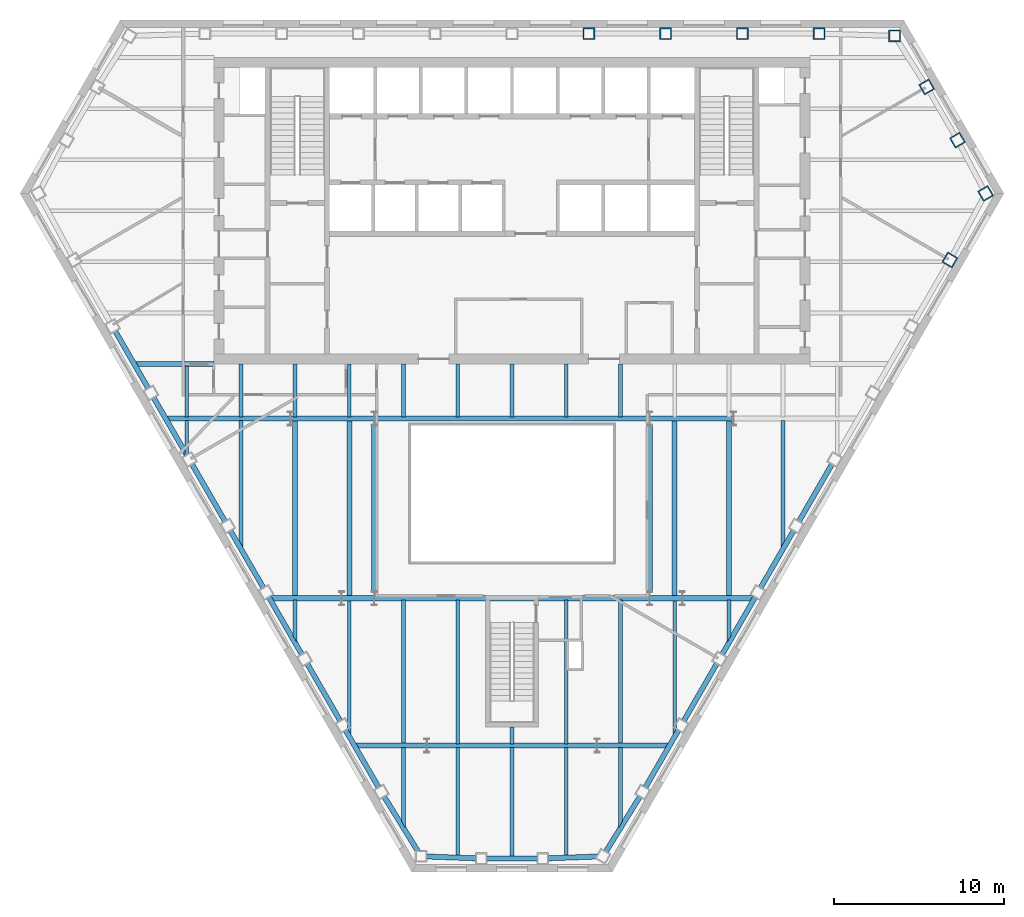
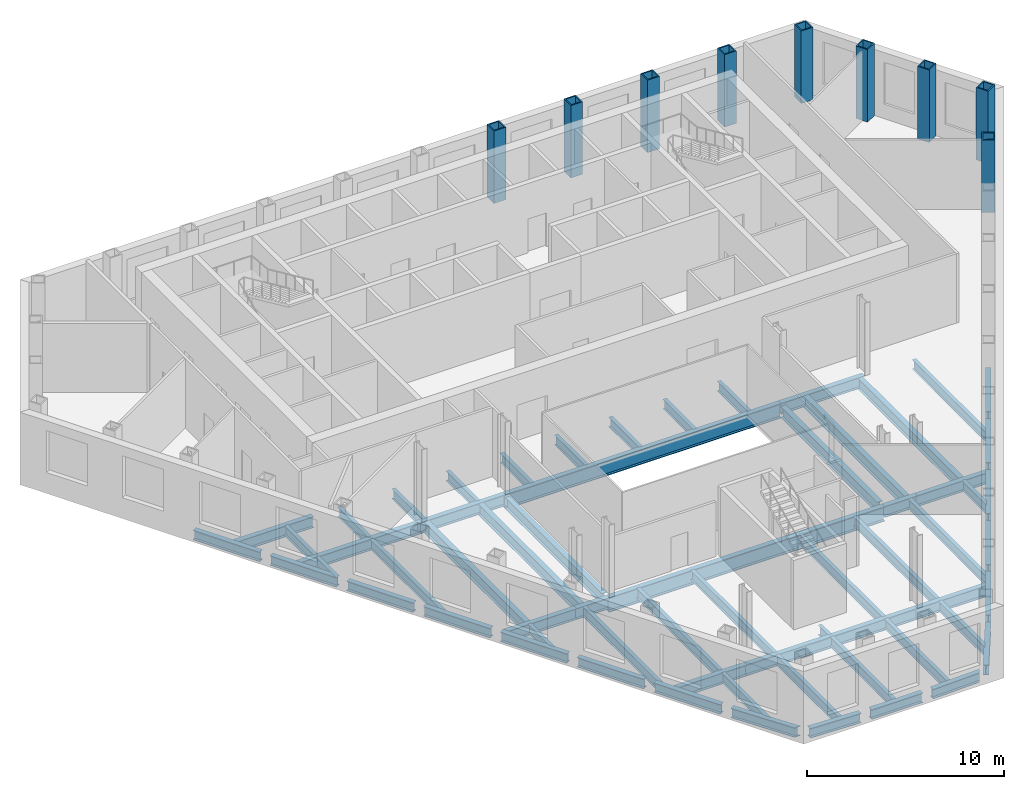
# One storey, part 2 of 11: 62 beams, 9 columns.
"""IFC4 building model written with IfcOpenShell, lengths in metres."""

import ifcopenshell
import ifcopenshell.guid

model = None  # the IFC model being written
_history = None  # IfcOwnerHistory: only IFC2X3 demands one
_inside = {}  # id of a spatial element -> (the spatial element, [elements in it])
_under = {}  # id of a project, library or spatial element -> (it, [spatial elements below it])
_declared = {}  # id of a project -> (the project, [libraries it declares])
_typed = {}  # id of a type object -> (the type object, [elements of that type])
_made_of = {}  # id of a material, layer set ... -> (it, [elements and type objects made of it])


def new_model(schema):
    """Start an empty IFC model of exactly this schema.

    Asked for "IFC4X3", IfcOpenShell would pick the latest addendum, in which some entities
    have other attributes; the version numbers below select the first issue.
    IFC2X3 requires an IfcOwnerHistory on every rooted entity: one is made here for all.
    """
    global model, _history
    if schema == "IFC4X3":
        model = ifcopenshell.file(schema_version=(4, 3, 0, 0))
    else:
        model = ifcopenshell.file(schema=schema)
    _inside.clear()
    _under.clear()
    _declared.clear()
    _typed.clear()
    _made_of.clear()
    _history = None
    if model.schema == "IFC2X3":
        org = make("IfcOrganization", Name="unknown")
        user = make(
            "IfcPersonAndOrganization",
            ThePerson=make("IfcPerson", FamilyName="unknown"),
            TheOrganization=org,
        )
        app = make(
            "IfcApplication",
            ApplicationDeveloper=org,
            Version="unknown",
            ApplicationFullName="unknown",
            ApplicationIdentifier="unknown",
        )
        _history = make(
            "IfcOwnerHistory",
            OwningUser=user,
            OwningApplication=app,
            ChangeAction="ADDED",
            CreationDate=0,
        )
    return model


def make(cls, **values):
    """One entity of the class cls with the attributes given. An attribute that is None is left unset."""
    return model.create_entity(
        cls, **{name: value for name, value in values.items() if value is not None}
    )


def rooted(cls, **values):
    """An entity with a GlobalId (a new one), such as an element, a storey or a relation."""
    return make(cls, GlobalId=ifcopenshell.guid.new(), OwnerHistory=_history, **values)


def si_unit(unit_type, name, prefix=None):
    """IfcSIUnit, for example si_unit("LENGTHUNIT", "METRE", prefix="MILLI")."""
    return make("IfcSIUnit", UnitType=unit_type, Prefix=prefix, Name=name)


def assignment(units):
    """IfcUnitAssignment: the units of a project."""
    return None if units is None else make("IfcUnitAssignment", Units=units)


def point(xyz):
    """IfcCartesianPoint."""
    return None if xyz is None else make("IfcCartesianPoint", Coordinates=xyz)


def direction(xyz):
    """IfcDirection."""
    return None if xyz is None else make("IfcDirection", DirectionRatios=xyz)


def frame(location, z_axis=None, x_axis=None):
    """IfcAxis2Placement3D, a coordinate frame: its origin and axes. An axis left out is left unset."""
    return make(
        "IfcAxis2Placement3D",
        Location=point(location),
        Axis=direction(z_axis),
        RefDirection=direction(x_axis),
    )


def frame_2d(location, x_axis=None):
    """IfcAxis2Placement2D, a coordinate frame in the plane: its origin and x axis."""
    return make(
        "IfcAxis2Placement2D", Location=point(location), RefDirection=direction(x_axis)
    )


def origin():
    """The frame at (0, 0, 0) with its axes left unset."""
    return frame((0.0, 0.0, 0.0))


def origin_2d():
    """The frame at (0, 0) in the plane with its x axis left unset."""
    return frame_2d((0.0, 0.0))


def place(relative_to, where):
    """IfcLocalPlacement: puts the frame where relative to a parent placement (None: the world)."""
    return make(
        "IfcLocalPlacement", PlacementRelTo=relative_to, RelativePlacement=where
    )


def context(
    kind, dimensions, precision=None, world=None, true_north=None, identifier=None
):
    """IfcGeometricRepresentationContext, for example the 3D "Model" context."""
    return make(
        "IfcGeometricRepresentationContext",
        ContextIdentifier=identifier,
        ContextType=kind,
        CoordinateSpaceDimension=dimensions,
        Precision=precision,
        WorldCoordinateSystem=world,
        TrueNorth=true_north,
    )


def subcontext(parent, identifier, kind, view, scale=None):
    """IfcGeometricRepresentationSubContext, for example "Body" below "Model"."""
    return make(
        "IfcGeometricRepresentationSubContext",
        ContextIdentifier=identifier,
        ContextType=kind,
        ParentContext=parent,
        TargetScale=scale,
        TargetView=view,
    )


def project(units=None, contexts=None):
    """IfcProject with its units and contexts."""
    return rooted(
        "IfcProject",
        Name="project",
        RepresentationContexts=contexts,
        UnitsInContext=assignment(units),
    )


def spatial(cls, under=None, at=None, **own):
    """A site, building, storey or space (cls), placed at a placement, below another one or the project."""
    s = rooted(cls, ObjectPlacement=at, **own)
    if under is not None:
        _under.setdefault(under.id(), (under, []))[1].append(s)
    return s


def profile(cls, at=None, kind="AREA", **sizes):
    """A parametric profile (cls). Its sizes go by their IFC names, for example OverallWidth=200.0."""
    return make(cls, ProfileType=kind, Position=at, **sizes)


def hollow_rectangle(**sizes):
    """IfcRectangleHollowProfileDef."""
    return profile("IfcRectangleHollowProfileDef", **sizes)


def i_section(**sizes):
    """IfcIShapeProfileDef."""
    return profile("IfcIShapeProfileDef", **sizes)


def extrude(swept, where, along, depth):
    """IfcExtrudedAreaSolid: the profile swept, set in the frame where, extruded along a direction by depth."""
    return make(
        "IfcExtrudedAreaSolid",
        SweptArea=swept,
        Position=where,
        ExtrudedDirection=direction(along),
        Depth=depth,
    )


def clip(a, b, op="DIFFERENCE"):
    """IfcBooleanClippingResult: the solid a cut by the half space b."""
    return make(
        "IfcBooleanClippingResult", Operator=op, FirstOperand=a, SecondOperand=b
    )


def halfspace(plane, agree):
    """IfcHalfSpaceSolid: all space on one side of the plane z = 0 of the frame plane."""
    return make(
        "IfcHalfSpaceSolid",
        BaseSurface=make("IfcPlane", Position=plane),
        AgreementFlag=agree,
    )


def shape(context_of_items, identifier, shape_type, items):
    """IfcShapeRepresentation: the items that make up one representation, for example the "Body"."""
    return make(
        "IfcShapeRepresentation",
        ContextOfItems=context_of_items,
        RepresentationIdentifier=identifier,
        RepresentationType=shape_type,
        Items=items,
    )


def material(Name=None, Category=None):
    """IfcMaterial."""
    return make("IfcMaterial", Name=Name, Category=Category)


def material_profile(
    of_material, cross_section, Name=None, Category=None, Priority=None
):
    """IfcMaterialProfile: a cross section and its material."""
    return make(
        "IfcMaterialProfile",
        Name=Name,
        Material=of_material,
        Profile=cross_section,
        Priority=Priority,
        Category=Category,
    )


def profile_set(profiles, Name=None, composite=None):
    """IfcMaterialProfileSet."""
    return make(
        "IfcMaterialProfileSet",
        Name=Name,
        MaterialProfiles=profiles,
        CompositeProfile=composite,
    )


def made_of(thing, what):
    """Note that an element or type object is made of a material, layer set ...; save() writes the relation."""
    if what is not None:
        _made_of.setdefault(what.id(), (what, []))[1].append(thing)
    return thing


def type_object(cls, material=None, **own):
    """A type object (cls), such as IfcWallType, which elements share."""
    return made_of(rooted(cls, **own), material)


def element(
    cls,
    number,
    at=None,
    inside=None,
    cuts=None,
    type_object=None,
    material=None,
    context=None,
    identifier="Body",
    shape_type=None,
    held_by="IfcProductDefinitionShape",
    body=None,
    shapes=None,
    **own,
):
    """One element of the class cls, such as IfcWall. Its Tag is "e" and its number.

    at: its placement. inside: the storey or other place that contains it. cuts: it is an
    opening in that element (IfcRelVoidsElement). A single representation is given by context,
    identifier, shape_type and body (its items); several are given by shapes. held_by: the class
    of the entity that holds the representations. save() writes the other relations.
    """
    e = rooted(cls, Tag="e%d" % number, ObjectPlacement=at, **own)
    if body is not None:
        shapes = [shape(context, identifier, shape_type, body)]
    if shapes is not None:
        e.Representation = make(held_by, Representations=shapes)
    if inside is not None:
        _inside.setdefault(inside.id(), (inside, []))[1].append(e)
    if cuts is not None:
        rooted(
            "IfcRelVoidsElement", RelatingBuildingElement=cuts, RelatedOpeningElement=e
        )
    if type_object is not None:
        _typed.setdefault(type_object.id(), (type_object, []))[1].append(e)
    return made_of(e, material)


def aggregate(whole, parts):
    """IfcRelAggregates: a whole, such as a stair, and the parts it consists of."""
    return rooted("IfcRelAggregates", RelatingObject=whole, RelatedObjects=parts)


def save(model, path):
    """Write the relations noted so far, then the file.

    IfcRelAggregates (storeys below a building ...), IfcRelContainedInSpatialStructure (elements
    in a storey), IfcRelDefinesByType, IfcRelAssociatesMaterial and IfcRelDeclares: one each for
    every whole, place, type object, material and project.
    """
    for whole, parts in _under.values():
        aggregate(whole, parts)
    for where, things in _inside.values():
        rooted(
            "IfcRelContainedInSpatialStructure",
            RelatedElements=things,
            RelatingStructure=where,
        )
    for kind, things in _typed.values():
        rooted("IfcRelDefinesByType", RelatedObjects=things, RelatingType=kind)
    for what, things in _made_of.values():
        rooted("IfcRelAssociatesMaterial", RelatedObjects=things, RelatingMaterial=what)
    for by, libraries in _declared.values():
        rooted("IfcRelDeclares", RelatingContext=by, RelatedDefinitions=libraries)
    model.write(path)


model = new_model("IFC4")

# Units and contexts
model_context = context("Model", 3, precision=1e-05, world=origin(), true_north=direction((0.0, 1.0)))
body_context = subcontext(model_context, "Body", "Model", "MODEL_VIEW")
ifc_project = project(units=[si_unit("LENGTHUNIT", "METRE"), si_unit("AREAUNIT", "SQUARE_METRE"), si_unit("VOLUMEUNIT", "CUBIC_METRE"), si_unit("PLANEANGLEUNIT", "RADIAN"), si_unit("MASSUNIT", "GRAM", prefix="KILO")], contexts=[model_context])

# Site, building, storey
site_placement = place(None, origin())
site = spatial("IfcSite", under=ifc_project, at=site_placement, CompositionType="ELEMENT")
building_placement = place(site_placement, origin())
building = spatial("IfcBuilding", under=site, at=building_placement, Name="Njiva Tower", CompositionType="ELEMENT")
storey_placement = place(building_placement, frame((0.0, 0.0, 37.8)))
storey = spatial("IfcBuildingStorey", under=building, at=storey_placement, Name="L07", CompositionType="ELEMENT", Elevation=37.8)

# Columns
ifc_material = material(Name="Steel S355 J2", Category="steel")
ifc_material_profile_1 = material_profile(ifc_material, hollow_rectangle(XDim=0.7, YDim=0.7, WallThickness=0.07, at=origin_2d()), Name="BOX 700x700x70")
ifc_profile_set_1 = profile_set([ifc_material_profile_1], Name="Steel S355 J2")
column_type = type_object("IfcColumnType", Name="C5 Perimeter tube column BOX 700x700x70", PredefinedType="COLUMN", material=ifc_profile_set_1)
for number, where, z_axis, x_axis, name in (
    (1, (22.466, 19.267, 0.0), (0.0, 0.0, 1.0), (-1.0, 0.0, 0.0), "Perimeter tube column S02-C01"),
    (2, (18.034, 19.4, 0.0), (0.0, 0.0, 1.0), (-1.0, 0.0, 0.0), "Perimeter tube column S02-C02"),
    (3, (13.526, 19.4, 0.0), (0.0, 0.0, 1.0), (-1.0, 0.0, 0.0), "Perimeter tube column S02-C03"),
    (4, (9.017, 19.4, 0.0), (0.0, 0.0, 1.0), (-1.0, 0.0, 0.0), "Perimeter tube column S02-C04"),
    (5, (4.509, 19.4, 0.0), (0.0, 0.0, 1.0), (-1.0, 0.0, 0.0), "Perimeter tube column S02-C05"),
    (6, (25.707, 6.111, 0.0), (0.0, 0.0, 1.0), (0.5, 0.866025403784, 0.0), "Perimeter tube column S02-C36"),
    (7, (27.808, 10.016, 0.0), (0.0, 0.0, 1.0), (-0.5, 0.866025403784, 0.0), "Perimeter tube column S02-C37"),
    (8, (26.155, 13.144, 0.0), (0.0, 0.0, 1.0), (-0.5, 0.866025403784, 0.0), "Perimeter tube column S02-C38"),
    (9, (24.349, 16.272, 0.0), (0.0, 0.0, 1.0), (-0.5, 0.866025403784, 0.0), "Perimeter tube column S02-C39"),
):
    element("IfcColumn", number, at=place(storey_placement, frame(where, z_axis=z_axis, x_axis=x_axis)), inside=storey, type_object=column_type, Name=name, PredefinedType="COLUMN", context=body_context, shape_type="SweptSolid", body=[
        extrude(hollow_rectangle(XDim=0.7, YDim=0.7, WallThickness=0.07, at=origin_2d()), origin(), (0.0, 0.0, 1.0), 4.5),
    ])

# Beams
ifc_material_profile_2 = material_profile(ifc_material, i_section(OverallWidth=0.3, OverallDepth=0.69, WebThickness=0.0145, FlangeThickness=0.027, at=origin_2d()), Name="HEA 700")
ifc_profile_set_2 = profile_set([ifc_material_profile_2], Name="Steel S355 J2")
beam_type_1 = type_object("IfcBeamType", Name="B12 Long-span floor joist HEA 700", PredefinedType="JOIST", material=ifc_profile_set_2)
for number, where, z_axis, x_axis, name in (
    (10, (-12.733, -3.3, -0.545), (0.0, -1.0, 0.0), (1.0, 0.0, 0.0), "Long-span floor joist S02-B068"),
    (11, (-9.55, -3.3, -0.545), (0.0, -1.0, 0.0), (1.0, 0.0, 0.0), "Long-span floor joist S02-B071"),
    (12, (9.55, -3.3, -0.545), (0.0, -1.0, 0.0), (1.0, 0.0, 0.0), "Long-span floor joist S02-B089"),
    (13, (12.733, -3.3, -0.545), (0.0, -1.0, 0.0), (1.0, 0.0, 0.0), "Long-span floor joist S02-B092"),
):
    element("IfcBeam", number, at=place(storey_placement, frame(where, z_axis=z_axis, x_axis=x_axis)), inside=storey, type_object=beam_type_1, Name=name, PredefinedType="JOIST", context=body_context, shape_type="SweptSolid", body=[
        extrude(i_section(OverallWidth=0.3, OverallDepth=0.69, WebThickness=0.0145, FlangeThickness=0.027, at=origin_2d()), origin(), (0.0, 0.0, 1.0), 10.35),
    ])
ifc_material_profile_3 = material_profile(ifc_material, i_section(OverallWidth=0.22, OverallDepth=0.6, WebThickness=0.012, FlangeThickness=0.019, at=origin_2d()), Name="IPE 600")
ifc_profile_set_3 = profile_set([ifc_material_profile_3], Name="Steel S355 J2")
beam_type_2 = type_object("IfcBeamType", Name="B13 Floor joist IPE 600", PredefinedType="JOIST", material=ifc_profile_set_3)
beam_1_placement = place(storey_placement, frame((-15.917, -3.3, -0.5), z_axis=(0.0, -1.0, 0.0), x_axis=(1.0, 0.0, 0.0)))
element("IfcBeam", 14, at=beam_1_placement, inside=storey, type_object=beam_type_2, Name="Floor joist S02-B065", PredefinedType="JOIST", context=body_context, shape_type="Clipping", body=[
    clip(extrude(i_section(OverallWidth=0.22, OverallDepth=0.6, WebThickness=0.012, FlangeThickness=0.019, at=origin_2d()), origin(), (0.0, 0.0, 1.0), 7.557), halfspace(frame((-0.043, 0.0, 7.2713), z_axis=(-0.866026552831, 0.0, 0.499998009787), x_axis=(0.0, 1.0, 0.0)), False)),
])
beam_2_placement = place(storey_placement, frame((-9.55, -13.85, -0.5), z_axis=(0.0, -1.0, 0.0), x_axis=(1.0, 0.0, 0.0)))
element("IfcBeam", 15, at=beam_2_placement, inside=storey, type_object=beam_type_2, Name="Floor joist S02-B070", PredefinedType="JOIST", context=body_context, shape_type="Clipping", body=[
    clip(extrude(i_section(OverallWidth=0.22, OverallDepth=0.6, WebThickness=0.012, FlangeThickness=0.019, at=origin_2d()), origin(), (0.0, 0.0, 1.0), 8.035), halfspace(frame((-0.0433, 0.0, 7.7487), z_axis=(-0.866026552831, 0.0, 0.499998009787), x_axis=(0.0, 1.0, 0.0)), False)),
])
beam_3_placement = place(storey_placement, frame((-6.367, -13.851, -0.5), z_axis=(0.0, -1.0, 0.0), x_axis=(1.0, 0.0, 0.0)))
element("IfcBeam", 16, at=beam_3_placement, inside=storey, type_object=beam_type_2, Name="Floor joist S02-B074", PredefinedType="JOIST", context=body_context, shape_type="SweptSolid", body=[
    extrude(i_section(OverallWidth=0.22, OverallDepth=0.6, WebThickness=0.012, FlangeThickness=0.019, at=origin_2d()), origin(), (0.0, 0.0, 1.0), 8.449),
])
beam_4_placement = place(storey_placement, frame((-6.367, -22.5, -0.5), z_axis=(0.0, -1.0, 0.0), x_axis=(1.0, 0.0, 0.0)))
element("IfcBeam", 17, at=beam_4_placement, inside=storey, type_object=beam_type_2, Name="Floor joist S02-B073", PredefinedType="JOIST", context=body_context, shape_type="Clipping", body=[
    clip(extrude(i_section(OverallWidth=0.22, OverallDepth=0.6, WebThickness=0.012, FlangeThickness=0.019, at=origin_2d()), origin(), (0.0, 0.0, 1.0), 4.746), halfspace(frame((-0.0422, 0.0, 4.4792), z_axis=(-0.850624900762, 0.0, 0.525773029171), x_axis=(0.0, 1.0, 0.0)), False)),
])
beam_5_placement = place(storey_placement, frame((-3.183, -13.851, -0.5), z_axis=(0.0, -1.0, 0.0), x_axis=(1.0, 0.0, 0.0)))
element("IfcBeam", 18, at=beam_5_placement, inside=storey, type_object=beam_type_2, Name="Floor joist S02-B077", PredefinedType="JOIST", context=body_context, shape_type="SweptSolid", body=[
    extrude(i_section(OverallWidth=0.22, OverallDepth=0.6, WebThickness=0.012, FlangeThickness=0.019, at=origin_2d()), origin(), (0.0, 0.0, 1.0), 8.449),
])
beam_6_placement = place(storey_placement, frame((-3.183, -22.5, -0.5), z_axis=(0.0, -1.0, 0.0), x_axis=(1.0, 0.0, 0.0)))
element("IfcBeam", 19, at=beam_6_placement, inside=storey, type_object=beam_type_2, Name="Floor joist S02-B076", PredefinedType="JOIST", context=body_context, shape_type="SweptSolid", body=[
    extrude(i_section(OverallWidth=0.22, OverallDepth=0.6, WebThickness=0.012, FlangeThickness=0.019, at=origin_2d()), origin(), (0.0, 0.0, 1.0), 6.375),
])
beam_7_placement = place(storey_placement, frame((0.0, -22.5, -0.5), z_axis=(0.0, -1.0, 0.0), x_axis=(1.0, 0.0, 0.0)))
element("IfcBeam", 20, at=beam_7_placement, inside=storey, type_object=beam_type_2, Name="Floor joist S02-B079", PredefinedType="JOIST", context=body_context, shape_type="SweptSolid", body=[
    extrude(i_section(OverallWidth=0.22, OverallDepth=0.6, WebThickness=0.012, FlangeThickness=0.019, at=origin_2d()), origin(), (0.0, 0.0, 1.0), 6.43),
])
beam_8_placement = place(storey_placement, frame((3.183, -13.851, -0.5), z_axis=(0.0, -1.0, 0.0), x_axis=(1.0, 0.0, 0.0)))
element("IfcBeam", 21, at=beam_8_placement, inside=storey, type_object=beam_type_2, Name="Floor joist S02-B083", PredefinedType="JOIST", context=body_context, shape_type="SweptSolid", body=[
    extrude(i_section(OverallWidth=0.22, OverallDepth=0.6, WebThickness=0.012, FlangeThickness=0.019, at=origin_2d()), origin(), (0.0, 0.0, 1.0), 8.449),
])
beam_9_placement = place(storey_placement, frame((3.183, -22.5, -0.5), z_axis=(0.0, -1.0, 0.0), x_axis=(1.0, 0.0, 0.0)))
element("IfcBeam", 22, at=beam_9_placement, inside=storey, type_object=beam_type_2, Name="Floor joist S02-B082", PredefinedType="JOIST", context=body_context, shape_type="SweptSolid", body=[
    extrude(i_section(OverallWidth=0.22, OverallDepth=0.6, WebThickness=0.012, FlangeThickness=0.019, at=origin_2d()), origin(), (0.0, 0.0, 1.0), 6.375),
])
beam_10_placement = place(storey_placement, frame((6.367, -13.851, -0.5), z_axis=(0.0, -1.0, 0.0), x_axis=(1.0, 0.0, 0.0)))
element("IfcBeam", 23, at=beam_10_placement, inside=storey, type_object=beam_type_2, Name="Floor joist S02-B086", PredefinedType="JOIST", context=body_context, shape_type="SweptSolid", body=[
    extrude(i_section(OverallWidth=0.22, OverallDepth=0.6, WebThickness=0.012, FlangeThickness=0.019, at=origin_2d()), origin(), (0.0, 0.0, 1.0), 8.449),
])
beam_11_placement = place(storey_placement, frame((6.367, -22.5, -0.5), z_axis=(0.0, -1.0, 0.0), x_axis=(1.0, 0.0, 0.0)))
element("IfcBeam", 24, at=beam_11_placement, inside=storey, type_object=beam_type_2, Name="Floor joist S02-B085", PredefinedType="JOIST", context=body_context, shape_type="Clipping", body=[
    clip(extrude(i_section(OverallWidth=0.22, OverallDepth=0.6, WebThickness=0.012, FlangeThickness=0.019, at=origin_2d()), origin(), (0.0, 0.0, 1.0), 4.746), halfspace(frame((0.0422, 0.0, 4.4792), z_axis=(0.850624900762, 0.0, 0.525773029171), x_axis=(0.0, 1.0, 0.0)), False)),
])
beam_12_placement = place(storey_placement, frame((9.55, -13.85, -0.5), z_axis=(0.0, -1.0, 0.0), x_axis=(1.0, 0.0, 0.0)))
element("IfcBeam", 25, at=beam_12_placement, inside=storey, type_object=beam_type_2, Name="Floor joist S02-B088", PredefinedType="JOIST", context=body_context, shape_type="Clipping", body=[
    clip(extrude(i_section(OverallWidth=0.22, OverallDepth=0.6, WebThickness=0.012, FlangeThickness=0.019, at=origin_2d()), origin(), (0.0, 0.0, 1.0), 8.035), halfspace(frame((0.0433, 0.0, 7.7487), z_axis=(0.866026552831, 0.0, 0.499998009787), x_axis=(0.0, 1.0, 0.0)), False)),
])
beam_13_placement = place(storey_placement, frame((15.917, -3.3, -0.5), z_axis=(0.0, -1.0, 0.0), x_axis=(1.0, 0.0, 0.0)))
element("IfcBeam", 26, at=beam_13_placement, inside=storey, type_object=beam_type_2, Name="Floor joist S02-B094", PredefinedType="JOIST", context=body_context, shape_type="Clipping", body=[
    clip(extrude(i_section(OverallWidth=0.22, OverallDepth=0.6, WebThickness=0.012, FlangeThickness=0.019, at=origin_2d()), origin(), (0.0, 0.0, 1.0), 7.557), halfspace(frame((0.043, 0.0, 7.2713), z_axis=(0.866026552831, 0.0, 0.499998009787), x_axis=(0.0, 1.0, 0.0)), False)),
])
ifc_material_profile_4 = material_profile(ifc_material, i_section(OverallWidth=0.22, OverallDepth=0.6, WebThickness=0.012, FlangeThickness=0.019, at=origin_2d()), Name="IPE 600")
ifc_profile_set_4 = profile_set([ifc_material_profile_4], Name="Steel S355 J2")
beam_type_3 = type_object("IfcBeamType", Name="B14 Short-span floor joist IPE 600", PredefinedType="JOIST", material=ifc_profile_set_4)
beam_14_placement = place(storey_placement, frame((-19.1, -0.1, -0.5), z_axis=(0.0, -1.0, 0.0), x_axis=(1.0, 0.0, 0.0)))
element("IfcBeam", 27, at=beam_14_placement, inside=storey, type_object=beam_type_3, Name="Short-span floor joist S02-B064", PredefinedType="JOIST", context=body_context, shape_type="SweptSolid", body=[
    extrude(i_section(OverallWidth=0.22, OverallDepth=0.6, WebThickness=0.012, FlangeThickness=0.019, at=origin_2d()), origin(), (0.0, 0.0, 1.0), 3.0),
])
beam_15_placement = place(storey_placement, frame((-19.1, -3.3, -0.5), z_axis=(0.0, -1.0, 0.0), x_axis=(1.0, 0.0, 0.0)))
element("IfcBeam", 28, at=beam_15_placement, inside=storey, type_object=beam_type_3, Name="Short-span floor joist S02-B062", PredefinedType="JOIST", context=body_context, shape_type="Clipping", body=[
    clip(extrude(i_section(OverallWidth=0.22, OverallDepth=0.6, WebThickness=0.012, FlangeThickness=0.019, at=origin_2d()), origin(), (0.0, 0.0, 1.0), 2.131), halfspace(frame((0.025, 0.0, 2.0322), z_axis=(0.499998009787, 0.0, 0.866026552831), x_axis=(0.0, 1.0, 0.0)), False)),
])
for number, where, z_axis, x_axis, name in (
    (29, (-15.917, -0.005, -0.5), (0.0, -1.0, 0.0), (1.0, 0.0, 0.0), "Short-span floor joist S02-B066"),
    (30, (-12.733, -0.005, -0.5), (0.0, -1.0, 0.0), (1.0, 0.0, 0.0), "Short-span floor joist S02-B069"),
):
    element("IfcBeam", number, at=place(storey_placement, frame(where, z_axis=z_axis, x_axis=x_axis)), inside=storey, type_object=beam_type_3, Name=name, PredefinedType="JOIST", context=body_context, shape_type="SweptSolid", body=[
        extrude(i_section(OverallWidth=0.22, OverallDepth=0.6, WebThickness=0.012, FlangeThickness=0.019, at=origin_2d()), origin(), (0.0, 0.0, 1.0), 3.095),
    ])
beam_16_placement = place(storey_placement, frame((-12.733, -13.85, -0.5), z_axis=(0.0, -1.0, 0.0), x_axis=(1.0, 0.0, 0.0)))
element("IfcBeam", 31, at=beam_16_placement, inside=storey, type_object=beam_type_3, Name="Short-span floor joist S02-B067", PredefinedType="JOIST", context=body_context, shape_type="Clipping", body=[
    clip(extrude(i_section(OverallWidth=0.22, OverallDepth=0.6, WebThickness=0.012, FlangeThickness=0.019, at=origin_2d()), origin(), (0.0, 0.0, 1.0), 2.521), halfspace(frame((-0.0436, 0.0, 2.235), z_axis=(-0.866026552831, 0.0, 0.499998009787), x_axis=(0.0, 1.0, 0.0)), False)),
])
beam_17_placement = place(storey_placement, frame((-9.55, -0.005, -0.5), z_axis=(0.0, -1.0, 0.0), x_axis=(1.0, 0.0, 0.0)))
element("IfcBeam", 32, at=beam_17_placement, inside=storey, type_object=beam_type_3, Name="Short-span floor joist S02-B072", PredefinedType="JOIST", context=body_context, shape_type="SweptSolid", body=[
    extrude(i_section(OverallWidth=0.22, OverallDepth=0.6, WebThickness=0.012, FlangeThickness=0.019, at=origin_2d()), origin(), (0.0, 0.0, 1.0), 3.095),
])
for number, where, z_axis, x_axis, name in (
    (33, (-6.367, -0.005, -0.5), (0.0, -1.0, 0.0), (1.0, 0.0, 0.0), "Short-span floor joist S02-B075"),
    (34, (-3.183, -0.005, -0.5), (0.0, -1.0, 0.0), (1.0, 0.0, 0.0), "Short-span floor joist S02-B078"),
    (35, (0.0, -0.005, -0.5), (0.0, -1.0, 0.0), (1.0, 0.0, 0.0), "Short-span floor joist S02-B081"),
):
    element("IfcBeam", number, at=place(storey_placement, frame(where, z_axis=z_axis, x_axis=x_axis)), inside=storey, type_object=beam_type_3, Name=name, PredefinedType="JOIST", context=body_context, shape_type="SweptSolid", body=[
        extrude(i_section(OverallWidth=0.22, OverallDepth=0.6, WebThickness=0.012, FlangeThickness=0.019, at=origin_2d()), origin(), (0.0, 0.0, 1.0), 3.094),
    ])
beam_18_placement = place(storey_placement, frame((0.0, -21.3, -0.5), z_axis=(0.0, -1.0, 0.0), x_axis=(1.0, 0.0, 0.0)))
element("IfcBeam", 36, at=beam_18_placement, inside=storey, type_object=beam_type_3, Name="Short-span floor joist S02-B080", PredefinedType="JOIST", context=body_context, shape_type="SweptSolid", body=[
    extrude(i_section(OverallWidth=0.22, OverallDepth=0.6, WebThickness=0.012, FlangeThickness=0.019, at=origin_2d()), origin(), (0.0, 0.0, 1.0), 1.0),
])
for number, where, z_axis, x_axis, name in (
    (37, (3.183, -0.005, -0.5), (0.0, -1.0, 0.0), (1.0, 0.0, 0.0), "Short-span floor joist S02-B084"),
    (38, (6.367, -0.005, -0.5), (0.0, -1.0, 0.0), (1.0, 0.0, 0.0), "Short-span floor joist S02-B087"),
):
    element("IfcBeam", number, at=place(storey_placement, frame(where, z_axis=z_axis, x_axis=x_axis)), inside=storey, type_object=beam_type_3, Name=name, PredefinedType="JOIST", context=body_context, shape_type="SweptSolid", body=[
        extrude(i_section(OverallWidth=0.22, OverallDepth=0.6, WebThickness=0.012, FlangeThickness=0.019, at=origin_2d()), origin(), (0.0, 0.0, 1.0), 3.094),
    ])
beam_19_placement = place(storey_placement, frame((12.733, -13.85, -0.5), z_axis=(0.0, -1.0, 0.0), x_axis=(1.0, 0.0, 0.0)))
element("IfcBeam", 39, at=beam_19_placement, inside=storey, type_object=beam_type_3, Name="Short-span floor joist S02-B091", PredefinedType="JOIST", context=body_context, shape_type="Clipping", body=[
    clip(extrude(i_section(OverallWidth=0.22, OverallDepth=0.6, WebThickness=0.012, FlangeThickness=0.019, at=origin_2d()), origin(), (0.0, 0.0, 1.0), 2.521), halfspace(frame((0.0436, 0.0, 2.235), z_axis=(0.866026552831, 0.0, 0.499998009787), x_axis=(0.0, 1.0, 0.0)), False)),
])
ifc_material_profile_5 = material_profile(ifc_material, i_section(OverallWidth=0.3, OverallDepth=0.69, WebThickness=0.0145, FlangeThickness=0.027, at=origin_2d()), Name="HEA 700")
ifc_profile_set_5 = profile_set([ifc_material_profile_5], Name="Steel S355 J2")
beam_type_4 = type_object("IfcBeamType", Name="B15 Floor girder HEA 700", PredefinedType="BEAM", material=ifc_profile_set_5)
beam_20_placement = place(storey_placement, frame((-20.323, -3.2, -0.545), z_axis=(1.0, 0.0, 0.0), x_axis=(0.0, 1.0, 0.0)))
element("IfcBeam", 40, at=beam_20_placement, inside=storey, type_object=beam_type_4, Name="Floor girder S02-B016", PredefinedType="BEAM", context=body_context, shape_type="Clipping", body=[
    clip(extrude(i_section(OverallWidth=0.3, OverallDepth=0.69, WebThickness=0.0145, FlangeThickness=0.027, at=origin_2d()), origin(), (0.0, 0.0, 1.0), 7.323), halfspace(frame((-0.025, 0.0, 0.1217), z_axis=(-0.499998009787, 0.0, -0.866026552831), x_axis=(0.0, -1.0, 0.0)), False)),
])
for number, where, z_axis, x_axis, name in (
    (41, (-13.0, -3.2, -0.545), (1.0, 0.0, 0.0), (0.0, 1.0, 0.0), "Floor girder S02-B019"),
    (42, (8.09, -3.2, -0.545), (1.0, 0.0, 0.0), (0.0, 1.0, 0.0), "Floor girder S02-B025"),
):
    element("IfcBeam", number, at=place(storey_placement, frame(where, z_axis=z_axis, x_axis=x_axis)), inside=storey, type_object=beam_type_4, Name=name, PredefinedType="BEAM", context=body_context, shape_type="SweptSolid", body=[
        extrude(i_section(OverallWidth=0.3, OverallDepth=0.69, WebThickness=0.0145, FlangeThickness=0.027, at=origin_2d()), origin(), (0.0, 0.0, 1.0), 4.91),
    ])
beam_21_placement = place(storey_placement, frame((-22.17, 0.0, -0.545), z_axis=(1.0, 0.0, 0.0), x_axis=(0.0, 1.0, 0.0)))
element("IfcBeam", 43, at=beam_21_placement, inside=storey, type_object=beam_type_4, Name="Floor girder S02-B015", PredefinedType="BEAM", context=body_context, shape_type="Clipping", body=[
    clip(extrude(i_section(OverallWidth=0.3, OverallDepth=0.69, WebThickness=0.0145, FlangeThickness=0.027, at=origin_2d()), origin(), (0.0, 0.0, 1.0), 4.67), halfspace(frame((-0.025, 0.0, 0.1211), z_axis=(-0.499998009787, 0.0, -0.866026552831), x_axis=(0.0, -1.0, 0.0)), False)),
])
ifc_material_profile_6 = material_profile(ifc_material, i_section(OverallWidth=0.3, OverallDepth=0.69, WebThickness=0.0145, FlangeThickness=0.027, at=origin_2d()), Name="HEA 700")
ifc_profile_set_6 = profile_set([ifc_material_profile_6], Name="Steel S355 J2")
beam_type_5 = type_object("IfcBeamType", Name="B16 Short-span floor girder HEA 700", PredefinedType="BEAM", material=ifc_profile_set_6)
beam_22_placement = place(storey_placement, frame((-14.232, -13.75, -0.545), z_axis=(1.0, 0.0, 0.0), x_axis=(0.0, 1.0, 0.0)))
element("IfcBeam", 44, at=beam_22_placement, inside=storey, type_object=beam_type_5, Name="Short-span floor girder S02-B018", PredefinedType="BEAM", context=body_context, shape_type="Clipping", body=[
    clip(extrude(i_section(OverallWidth=0.3, OverallDepth=0.69, WebThickness=0.0145, FlangeThickness=0.027, at=origin_2d()), origin(), (0.0, 0.0, 1.0), 4.232), halfspace(frame((-0.025, 0.0, 0.1217), z_axis=(-0.499998009787, 0.0, -0.866026552831), x_axis=(0.0, -1.0, 0.0)), False)),
])
for number, where, z_axis, x_axis, name in (
    (45, (-10.0, -13.75, -0.545), (1.0, 0.0, 0.0), (0.0, 1.0, 0.0), "Short-span floor girder S02-B020"),
    (46, (8.09, -13.75, -0.545), (1.0, 0.0, 0.0), (0.0, 1.0, 0.0), "Short-span floor girder S02-B024"),
):
    element("IfcBeam", number, at=place(storey_placement, frame(where, z_axis=z_axis, x_axis=x_axis)), inside=storey, type_object=beam_type_5, Name=name, PredefinedType="BEAM", context=body_context, shape_type="SweptSolid", body=[
        extrude(i_section(OverallWidth=0.3, OverallDepth=0.69, WebThickness=0.0145, FlangeThickness=0.027, at=origin_2d()), origin(), (0.0, 0.0, 1.0), 1.91),
    ])
beam_23_placement = place(storey_placement, frame((10.0, -13.75, -0.545), z_axis=(1.0, 0.0, 0.0), x_axis=(0.0, 1.0, 0.0)))
element("IfcBeam", 47, at=beam_23_placement, inside=storey, type_object=beam_type_5, Name="Short-span floor girder S02-B026", PredefinedType="BEAM", context=body_context, shape_type="Clipping", body=[
    clip(extrude(i_section(OverallWidth=0.3, OverallDepth=0.69, WebThickness=0.0145, FlangeThickness=0.027, at=origin_2d()), origin(), (0.0, 0.0, 1.0), 4.232), halfspace(frame((-0.025, 0.0, 4.1103), z_axis=(-0.499998009787, 0.0, 0.866026552831), x_axis=(0.0, 1.0, 0.0)), False)),
])
beam_24_placement = place(storey_placement, frame((-9.238, -22.4, -0.545), z_axis=(1.0, 0.0, 0.0), x_axis=(0.0, 1.0, 0.0)))
element("IfcBeam", 48, at=beam_24_placement, inside=storey, type_object=beam_type_5, Name="Short-span floor girder S02-B021", PredefinedType="BEAM", context=body_context, shape_type="Clipping", body=[
    clip(extrude(i_section(OverallWidth=0.3, OverallDepth=0.69, WebThickness=0.0145, FlangeThickness=0.027, at=origin_2d()), origin(), (0.0, 0.0, 1.0), 4.238), halfspace(frame((-0.025, 0.0, 0.1218), z_axis=(-0.499998009787, 0.0, -0.866026552831), x_axis=(0.0, -1.0, 0.0)), False)),
])
beam_25_placement = place(storey_placement, frame((5.0, -22.4, -0.545), z_axis=(1.0, 0.0, 0.0), x_axis=(0.0, 1.0, 0.0)))
element("IfcBeam", 49, at=beam_25_placement, inside=storey, type_object=beam_type_5, Name="Short-span floor girder S02-B023", PredefinedType="BEAM", context=body_context, shape_type="Clipping", body=[
    clip(extrude(i_section(OverallWidth=0.3, OverallDepth=0.69, WebThickness=0.0145, FlangeThickness=0.027, at=origin_2d()), origin(), (0.0, 0.0, 1.0), 4.238), halfspace(frame((-0.025, 0.0, 4.1162), z_axis=(-0.499998009787, 0.0, 0.866026552831), x_axis=(0.0, 1.0, 0.0)), False)),
])
ifc_material_profile_7 = material_profile(ifc_material, i_section(OverallWidth=0.3, OverallDepth=0.69, WebThickness=0.0145, FlangeThickness=0.027, at=origin_2d()), Name="HEA 700")
ifc_profile_set_7 = profile_set([ifc_material_profile_7], Name="Steel S355 J2")
beam_type_6 = type_object("IfcBeamType", Name="B17 Long-span floor girder HEA 700", PredefinedType="BEAM", material=ifc_profile_set_7)
beam_26_placement = place(storey_placement, frame((-5.0, -22.4, -0.545), z_axis=(1.0, 0.0, 0.0), x_axis=(0.0, 1.0, 0.0)))
element("IfcBeam", 50, at=beam_26_placement, inside=storey, type_object=beam_type_6, Name="Long-span floor girder S02-B022", PredefinedType="BEAM", context=body_context, shape_type="SweptSolid", body=[
    extrude(i_section(OverallWidth=0.3, OverallDepth=0.69, WebThickness=0.0145, FlangeThickness=0.027, at=origin_2d()), origin(), (0.0, 0.0, 1.0), 10.0),
])
ifc_material_profile_8 = material_profile(ifc_material, i_section(OverallWidth=0.3, OverallDepth=0.69, WebThickness=0.0145, FlangeThickness=0.027, at=origin_2d()), Name="HEA 700")
ifc_profile_set_8 = profile_set([ifc_material_profile_8], Name="Steel S355 J2")
beam_type_7 = type_object("IfcBeamType", Name="B18 Long-span atrium trimmer beam HEA 700", PredefinedType="BEAM", material=ifc_profile_set_8)
for number, where, z_axis, x_axis, name in (
    (51, (8.09, -13.393, -0.545), (0.0, 1.0, 0.0), (-1.0, 0.0, 0.0), "Long-span atrium trimmer beam S02-B104"),
    (52, (-8.09, -3.557, -0.545), (0.0, -1.0, 0.0), (1.0, 0.0, 0.0), "Long-span atrium trimmer beam S02-B101"),
):
    element("IfcBeam", number, at=place(storey_placement, frame(where, z_axis=z_axis, x_axis=x_axis)), inside=storey, type_object=beam_type_7, Name=name, PredefinedType="BEAM", context=body_context, shape_type="SweptSolid", body=[
        extrude(i_section(OverallWidth=0.3, OverallDepth=0.69, WebThickness=0.0145, FlangeThickness=0.027, at=origin_2d()), origin(), (0.0, 0.0, 1.0), 9.836),
    ])
ifc_material_profile_9 = material_profile(ifc_material, i_section(OverallWidth=0.3, OverallDepth=0.6, WebThickness=0.0155, FlangeThickness=0.03, at=origin_2d()), Name="HEB 600")
ifc_profile_set_9 = profile_set([ifc_material_profile_9], Name="Steel S355 J2")
beam_type_8 = type_object("IfcBeamType", Name="B3 Short-span spandrel beam HEB 600", PredefinedType="SPANDREL", material=ifc_profile_set_9)
beam_27_placement = place(storey_placement, frame((-23.303, 1.946, -0.5), z_axis=(0.500239230067, -0.865887240177, 0.0), x_axis=(0.865887240177, 0.500239230067, 0.0)))
element("IfcBeam", 53, at=beam_27_placement, inside=storey, type_object=beam_type_8, Name="Short-span spandrel beam S02-B115", PredefinedType="SPANDREL", context=body_context, shape_type="SweptSolid", body=[
    extrude(i_section(OverallWidth=0.3, OverallDepth=0.6, WebThickness=0.0155, FlangeThickness=0.03, at=origin_2d()), origin(), (0.0, 0.0, 1.0), 3.9081),
])
beam_28_placement = place(storey_placement, frame((-21.048, -1.958, -0.5), z_axis=(0.499936548189, -0.866062034606, 0.0), x_axis=(0.866062034606, 0.499936548189, 0.0)))
element("IfcBeam", 54, at=beam_28_placement, inside=storey, type_object=beam_type_8, Name="Short-span spandrel beam S02-B119", PredefinedType="SPANDREL", context=body_context, shape_type="SweptSolid", body=[
    extrude(i_section(OverallWidth=0.3, OverallDepth=0.6, WebThickness=0.0155, FlangeThickness=0.03, at=origin_2d()), origin(), (0.0, 0.0, 1.0), 3.9085),
])
beam_29_placement = place(storey_placement, frame((-18.794, -5.863, -0.5), z_axis=(0.500047346826, -0.865998066356, 0.0), x_axis=(0.865998066356, 0.500047346826, 0.0)))
element("IfcBeam", 55, at=beam_29_placement, inside=storey, type_object=beam_type_8, Name="Short-span spandrel beam S02-B121", PredefinedType="SPANDREL", context=body_context, shape_type="SweptSolid", body=[
    extrude(i_section(OverallWidth=0.3, OverallDepth=0.6, WebThickness=0.0155, FlangeThickness=0.03, at=origin_2d()), origin(), (0.0, 0.0, 1.0), 3.9076),
])
beam_30_placement = place(storey_placement, frame((-16.54, -9.767, -0.5), z_axis=(0.500128417272, -0.865951249342, 0.0), x_axis=(0.865951249342, 0.500128417272, 0.0)))
element("IfcBeam", 56, at=beam_30_placement, inside=storey, type_object=beam_type_8, Name="Short-span spandrel beam S02-B125", PredefinedType="SPANDREL", context=body_context, shape_type="SweptSolid", body=[
    extrude(i_section(OverallWidth=0.3, OverallDepth=0.6, WebThickness=0.0155, FlangeThickness=0.03, at=origin_2d()), origin(), (0.0, 0.0, 1.0), 3.909),
])
beam_31_placement = place(storey_placement, frame((-14.285, -13.672, -0.5), z_axis=(0.499936548189, -0.866062034606, 0.0), x_axis=(0.866062034606, 0.499936548189, 0.0)))
element("IfcBeam", 57, at=beam_31_placement, inside=storey, type_object=beam_type_8, Name="Short-span spandrel beam S02-B127", PredefinedType="SPANDREL", context=body_context, shape_type="SweptSolid", body=[
    extrude(i_section(OverallWidth=0.3, OverallDepth=0.6, WebThickness=0.0155, FlangeThickness=0.03, at=origin_2d()), origin(), (0.0, 0.0, 1.0), 3.9085),
])
beam_32_placement = place(storey_placement, frame((-12.031, -17.577, -0.5), z_axis=(0.500047346826, -0.865998066356, 0.0), x_axis=(0.865998066356, 0.500047346826, 0.0)))
element("IfcBeam", 58, at=beam_32_placement, inside=storey, type_object=beam_type_8, Name="Short-span spandrel beam S02-B131", PredefinedType="SPANDREL", context=body_context, shape_type="SweptSolid", body=[
    extrude(i_section(OverallWidth=0.3, OverallDepth=0.6, WebThickness=0.0155, FlangeThickness=0.03, at=origin_2d()), origin(), (0.0, 0.0, 1.0), 3.9076),
])
beam_33_placement = place(storey_placement, frame((-9.777, -21.481, -0.5), z_axis=(0.500128417272, -0.865951249342, 0.0), x_axis=(0.865951249342, 0.500128417272, 0.0)))
element("IfcBeam", 59, at=beam_33_placement, inside=storey, type_object=beam_type_8, Name="Short-span spandrel beam S02-B133", PredefinedType="SPANDREL", context=body_context, shape_type="SweptSolid", body=[
    extrude(i_section(OverallWidth=0.3, OverallDepth=0.6, WebThickness=0.0155, FlangeThickness=0.03, at=origin_2d()), origin(), (0.0, 0.0, 1.0), 3.909),
])
beam_34_placement = place(storey_placement, frame((-7.512, -25.385, -0.5), z_axis=(0.525707123984, -0.850665633368, 0.0), x_axis=(0.850665633368, 0.525707123984, 0.0)))
element("IfcBeam", 60, at=beam_34_placement, inside=storey, type_object=beam_type_8, Name="Short-span spandrel beam S02-B136", PredefinedType="SPANDREL", context=body_context, shape_type="Clipping", body=[
    clip(extrude(i_section(OverallWidth=0.3, OverallDepth=0.6, WebThickness=0.0155, FlangeThickness=0.03, at=origin_2d()), origin(), (0.0, 0.0, 1.0), 3.8889), halfspace(frame((-0.0261, 0.0, 3.7597), z_axis=(-0.525707123984, 0.0, 0.850665633368), x_axis=(0.0, 1.0, 0.0)), False)),
])
beam_35_placement = place(storey_placement, frame((-5.036, -28.909, -0.5), z_axis=(0.999293612064, -0.03758027259, 0.0), x_axis=(0.03758027259, 0.999293612064, 0.0)))
element("IfcBeam", 61, at=beam_35_placement, inside=storey, type_object=beam_type_8, Name="Short-span spandrel beam S02-B139", PredefinedType="SPANDREL", context=body_context, shape_type="SweptSolid", body=[
    extrude(i_section(OverallWidth=0.3, OverallDepth=0.6, WebThickness=0.0155, FlangeThickness=0.03, at=origin_2d()), origin(), (0.0, 0.0, 1.0), 2.9271),
])
beam_36_placement = place(storey_placement, frame((-1.506, -29.03, -0.5), z_axis=(1.0, 0.0, 0.0), x_axis=(0.0, 1.0, 0.0)))
element("IfcBeam", 62, at=beam_36_placement, inside=storey, type_object=beam_type_8, Name="Short-span spandrel beam S02-B142", PredefinedType="SPANDREL", context=body_context, shape_type="SweptSolid", body=[
    extrude(i_section(OverallWidth=0.3, OverallDepth=0.6, WebThickness=0.0155, FlangeThickness=0.03, at=origin_2d()), origin(), (0.0, 0.0, 1.0), 3.012),
])
beam_37_placement = place(storey_placement, frame((2.111, -29.019, -0.5), z_axis=(0.999295662635, 0.037525706385, 0.0), x_axis=(-0.037525706385, 0.999295662635, 0.0)))
element("IfcBeam", 63, at=beam_37_placement, inside=storey, type_object=beam_type_8, Name="Short-span spandrel beam S02-B144", PredefinedType="SPANDREL", context=body_context, shape_type="Clipping", body=[
    clip(extrude(i_section(OverallWidth=0.3, OverallDepth=0.6, WebThickness=0.0155, FlangeThickness=0.03, at=origin_2d()), origin(), (0.0, 0.0, 1.0), 2.992), halfspace(frame((-0.0261, 0.0, 2.8611), z_axis=(-0.53214410065, 0.0, 0.846653799462), x_axis=(0.0, 1.0, 0.0)), False)),
])
beam_38_placement = place(storey_placement, frame((5.501, -28.639, -0.5), z_axis=(0.525715487097, 0.850660464949, 0.0), x_axis=(-0.850660464949, 0.525715487097, 0.0)))
element("IfcBeam", 64, at=beam_38_placement, inside=storey, type_object=beam_type_8, Name="Short-span spandrel beam S02-B148", PredefinedType="SPANDREL", context=body_context, shape_type="SweptSolid", body=[
    extrude(i_section(OverallWidth=0.3, OverallDepth=0.6, WebThickness=0.0155, FlangeThickness=0.03, at=origin_2d()), origin(), (0.0, 0.0, 1.0), 3.8253),
])
beam_39_placement = place(storey_placement, frame((7.822, -24.866, -0.5), z_axis=(0.500128417272, 0.865951249342, 0.0), x_axis=(-0.865951249342, 0.500128417272, 0.0)))
element("IfcBeam", 65, at=beam_39_placement, inside=storey, type_object=beam_type_8, Name="Short-span spandrel beam S02-B150", PredefinedType="SPANDREL", context=body_context, shape_type="SweptSolid", body=[
    extrude(i_section(OverallWidth=0.3, OverallDepth=0.6, WebThickness=0.0155, FlangeThickness=0.03, at=origin_2d()), origin(), (0.0, 0.0, 1.0), 3.909),
])
beam_40_placement = place(storey_placement, frame((10.077, -20.961, -0.5), z_axis=(0.500047346826, 0.865998066356, 0.0), x_axis=(-0.865998066356, 0.500047346826, 0.0)))
element("IfcBeam", 66, at=beam_40_placement, inside=storey, type_object=beam_type_8, Name="Short-span spandrel beam S02-B154", PredefinedType="SPANDREL", context=body_context, shape_type="SweptSolid", body=[
    extrude(i_section(OverallWidth=0.3, OverallDepth=0.6, WebThickness=0.0155, FlangeThickness=0.03, at=origin_2d()), origin(), (0.0, 0.0, 1.0), 3.9076),
])
beam_41_placement = place(storey_placement, frame((12.331, -17.057, -0.5), z_axis=(0.499936548189, 0.866062034606, 0.0), x_axis=(-0.866062034606, 0.499936548189, 0.0)))
element("IfcBeam", 67, at=beam_41_placement, inside=storey, type_object=beam_type_8, Name="Short-span spandrel beam S02-B156", PredefinedType="SPANDREL", context=body_context, shape_type="SweptSolid", body=[
    extrude(i_section(OverallWidth=0.3, OverallDepth=0.6, WebThickness=0.0155, FlangeThickness=0.03, at=origin_2d()), origin(), (0.0, 0.0, 1.0), 3.9085),
])
beam_42_placement = place(storey_placement, frame((14.585, -13.152, -0.5), z_axis=(0.500128417272, 0.865951249342, 0.0), x_axis=(-0.865951249342, 0.500128417272, 0.0)))
element("IfcBeam", 68, at=beam_42_placement, inside=storey, type_object=beam_type_8, Name="Short-span spandrel beam S02-B160", PredefinedType="SPANDREL", context=body_context, shape_type="SweptSolid", body=[
    extrude(i_section(OverallWidth=0.3, OverallDepth=0.6, WebThickness=0.0155, FlangeThickness=0.03, at=origin_2d()), origin(), (0.0, 0.0, 1.0), 3.909),
])
beam_43_placement = place(storey_placement, frame((16.84, -9.247, -0.5), z_axis=(0.500047346826, 0.865998066356, 0.0), x_axis=(-0.865998066356, 0.500047346826, 0.0)))
element("IfcBeam", 69, at=beam_43_placement, inside=storey, type_object=beam_type_8, Name="Short-span spandrel beam S02-B162", PredefinedType="SPANDREL", context=body_context, shape_type="SweptSolid", body=[
    extrude(i_section(OverallWidth=0.3, OverallDepth=0.6, WebThickness=0.0155, FlangeThickness=0.03, at=origin_2d()), origin(), (0.0, 0.0, 1.0), 3.9076),
])
ifc_material_profile_10 = material_profile(ifc_material, i_section(OverallWidth=0.302, OverallDepth=0.91, WebThickness=0.021, FlangeThickness=0.04, at=origin_2d()), Name="HEM 900")
ifc_profile_set_10 = profile_set([ifc_material_profile_10], Name="Steel S355 J2")
beam_type_9 = type_object("IfcBeamType", Name="B8 Long-span atrium trimmer beam HEM 900", PredefinedType="BEAM", material=ifc_profile_set_10)
for number, where, z_axis, x_axis, name in (
    (70, (-8.09, -13.75, -0.655), (1.0, 0.0, 0.0), (0.0, 1.0, 0.0), "Long-span atrium trimmer beam S02-B100"),
    (71, (8.09, -3.2, -0.655), (-1.0, 0.0, 0.0), (0.0, -1.0, 0.0), "Long-span atrium trimmer beam S02-B102"),
):
    element("IfcBeam", number, at=place(storey_placement, frame(where, z_axis=z_axis, x_axis=x_axis)), inside=storey, type_object=beam_type_9, Name=name, PredefinedType="BEAM", context=body_context, shape_type="SweptSolid", body=[
        extrude(i_section(OverallWidth=0.302, OverallDepth=0.91, WebThickness=0.021, FlangeThickness=0.04, at=origin_2d()), origin(), (0.0, 0.0, 1.0), 16.18),
    ])

save(model, "model.ifc")
